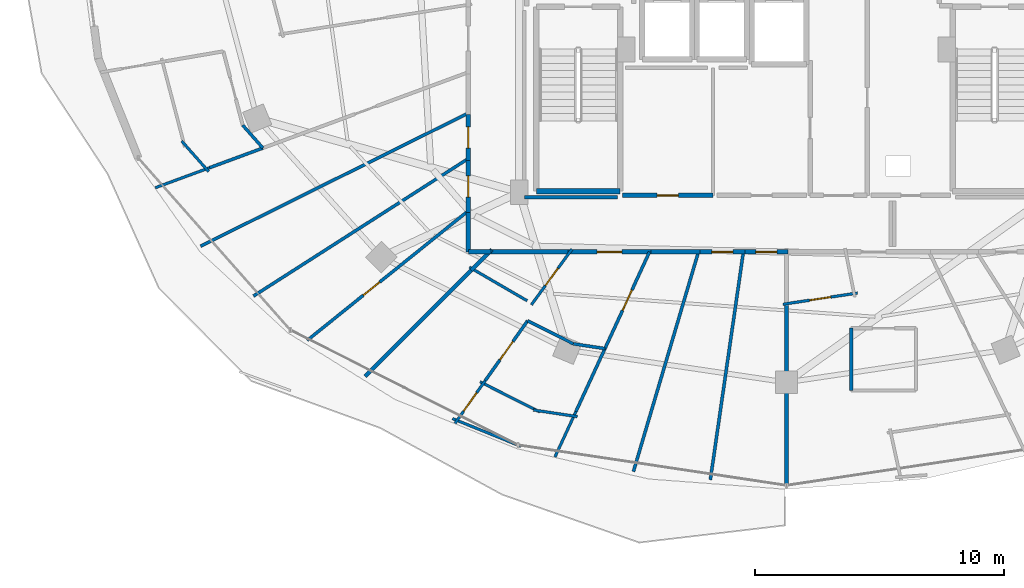
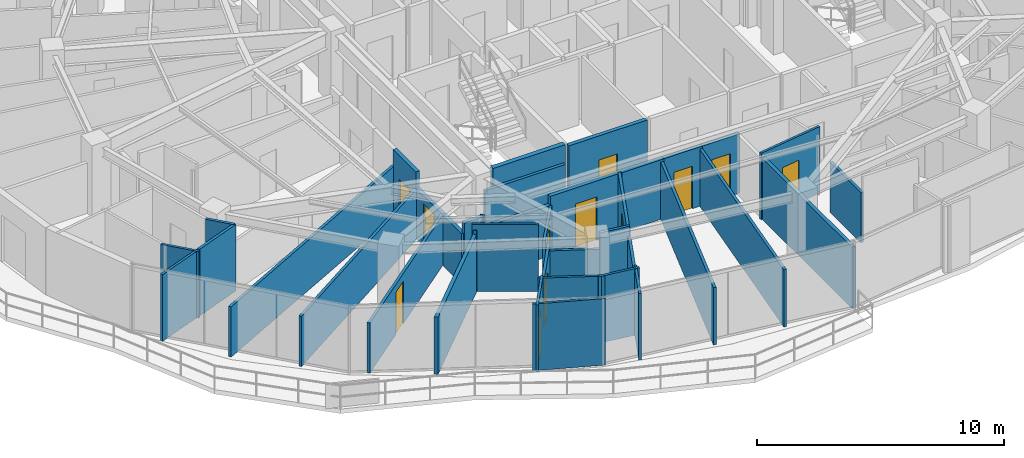
# One storey, part 24 of 33: 38 walls, 12 doors, 12 openings.
"""IFC4 building model written with IfcOpenShell, lengths in metres."""

from ifc_helpers import new_model, si_unit, direction, frame, frame_2d, origin, place, context, subcontext, project, spatial, rectangle, extrude, material, layer, layer_set, type_object, element, fill, save


model = new_model("IFC4")

# Units and contexts
model_context = context("Model", 3, precision=1e-05, world=origin(), true_north=direction((0.0, 1.0)))
body_context = subcontext(model_context, "Body", "Model", "MODEL_VIEW")
ifc_project = project(units=[si_unit("LENGTHUNIT", "METRE"), si_unit("AREAUNIT", "SQUARE_METRE"), si_unit("VOLUMEUNIT", "CUBIC_METRE"), si_unit("PLANEANGLEUNIT", "RADIAN"), si_unit("MASSUNIT", "GRAM", prefix="KILO")], contexts=[model_context])

# Site, building, storey
site_placement = place(None, origin())
site = spatial("IfcSite", under=ifc_project, at=site_placement, CompositionType="ELEMENT")
building_placement = place(site_placement, origin())
building = spatial("IfcBuilding", under=site, at=building_placement, Name="Vorneva Point Tower", CompositionType="ELEMENT")
storey_placement = place(building_placement, frame((0.0, 0.0, 203.64990234375)))
storey = spatial("IfcBuildingStorey", under=building, at=storey_placement, Name="L55", CompositionType="ELEMENT", Elevation=203.64990234375)

# Walls
ifc_material_1 = material(Name="Fire-rated acoustic gypsum stud partition", Category="gypsum")
ifc_layer_1 = layer(ifc_material_1, 0.110107421875)
ifc_layer_set_1 = layer_set([ifc_layer_1], Name="Fire-rated acoustic gypsum stud partition")
wall_type_1 = type_object("IfcWallType", Name="WL-PART-110", PredefinedType="PARTITIONING", material=ifc_layer_set_1)
wall_1_placement = place(storey_placement, frame((14.749755859375, 17.283203125, 0.0), z_axis=(0.0, 0.0, 1.0), x_axis=(-0.662345628205, 0.749198417509, 0.0)))
element("IfcWall", 1, at=wall_1_placement, inside=storey, type_object=wall_type_1, Name="L55 Interior Partition 109", PredefinedType="PARTITIONING", context=body_context, shape_type="SweptSolid", body=[
    extrude(rectangle(XDim=1.638916015625, YDim=0.110107421875, at=frame_2d((0.8193359375, 0.0))), origin(), (0.0, 0.0, 1.0), 3.2900390625),
])
wall_2_placement = place(storey_placement, frame((12.603759765625, 16.630615234375, 0.0), z_axis=(0.0, 0.0, 1.0), x_axis=(0.938194450562, 0.346108614361, 0.0)))
element("IfcWall", 2, at=wall_2_placement, inside=storey, type_object=wall_type_1, Name="L55 Interior Partition 111", PredefinedType="PARTITIONING", context=body_context, shape_type="SweptSolid", body=[
    extrude(rectangle(XDim=2.328369140625, YDim=0.110107421875, at=frame_2d((1.1640625, 0.0))), origin(), (0.0, 0.0, 1.0), 3.2900390625),
])

# Wall, opening, door
wall_3_placement = place(storey_placement, frame((29.37158203125, 14.1630859375, 0.0), z_axis=(0.0, 0.0, 1.0), x_axis=(-0.589066743954, -0.808084383693, 0.0)))
wall_3 = element("IfcWall", 3, at=wall_3_placement, inside=storey, type_object=wall_type_1, Name="L55 Interior Partition 118", PredefinedType="PARTITIONING", context=body_context, shape_type="SweptSolid", body=[
    extrude(rectangle(XDim=2.772216796875, YDim=0.110107421875, at=frame_2d((1.38623046875, 0.0))), origin(), (0.0, 0.0, 1.0), 2.482177734375),
])
opening_1_placement = place(wall_3_placement, frame((0.961181640625, 0.0, 0.0)))
opening_1 = element("IfcOpeningElement", 4, at=opening_1_placement, cuts=wall_3, Name="Opening ID-02", PredefinedType="OPENING", context=body_context, shape_type="SweptSolid", body=[
    extrude(rectangle(XDim=0.85009765625, YDim=2.10009765625, at=frame_2d((0.425048828125, 1.050048828125))), frame((0.0, 0.06982421875, 0.0), z_axis=(0.0, -1.0, 0.0), x_axis=(1.0, 0.0, 0.0)), (0.0, 0.0, 1.0), 0.139892578125),
])
ifc_material_2 = material(Name="Engineered oak fire-rated door leaf", Category="wood")
door_type_1 = type_object("IfcDoorType", Name="DR-BATH-850", OperationType="NOTDEFINED", PredefinedType="DOOR", material=ifc_material_2)
door_1_placement = place(opening_1_placement, origin())
door_1 = element("IfcDoor", 5, at=door_1_placement, inside=storey, type_object=door_type_1, Name="L55 Door Living and Dining Room L55-04 / Bathroom L55-04", OperationType="SINGLE_SWING_RIGHT", OverallHeight=2.10009765625, OverallWidth=0.85009765625, PredefinedType="DOOR", context=body_context, shape_type="SweptSolid", body=[
    extrude(rectangle(XDim=0.85009765625, YDim=2.10009765625, at=frame_2d((0.425048828125, 1.050048828125))), frame((0.0, 0.02490234375, 0.0), z_axis=(0.0, -1.0, 0.0), x_axis=(1.0, 0.0, 0.0)), (0.0, 0.0, 1.0), 0.050048828125),
])
fill(opening_1, door_1)

# Walls
wall_4_placement = place(storey_placement, frame((27.568115234375, 12.08251953125, 0.0), z_axis=(0.0, 0.0, 1.0), x_axis=(-0.864515441931, 0.502606258082, 0.0)))
element("IfcWall", 6, at=wall_4_placement, inside=storey, type_object=wall_type_1, Name="L55 Interior Partition 119", PredefinedType="PARTITIONING", context=body_context, shape_type="SweptSolid", body=[
    extrude(rectangle(XDim=2.689697265625, YDim=0.110107421875, at=frame_2d((1.3447265625, 0.0))), origin(), (0.0, 0.0, 1.0), 3.2900390625),
])
wall_5_placement = place(storey_placement, frame((29.528564453125, 7.6240234375, 0.0), z_axis=(0.0, 0.0, 1.0), x_axis=(-0.418673802252, -0.908136689771, 0.0)))
element("IfcWall", 7, at=wall_5_placement, inside=storey, type_object=wall_type_1, Name="L55 Interior Partition 120", PredefinedType="PARTITIONING", context=body_context, shape_type="SweptSolid", body=[
    extrude(rectangle(XDim=2.01416015625, YDim=0.110107421875, at=frame_2d((1.007080078125, 0.0))), origin(), (0.0, 0.0, 1.0), 3.2900390625),
])
wall_6_placement = place(storey_placement, frame((24.561279296875, 7.342529296875, 0.0), z_axis=(0.0, 0.0, 1.0), x_axis=(0.926858319785, -0.375411314487, 0.0)))
element("IfcWall", 8, at=wall_6_placement, inside=storey, type_object=wall_type_1, Name="L55 Interior Partition 121", PredefinedType="PARTITIONING", context=body_context, shape_type="SweptSolid", body=[
    extrude(rectangle(XDim=2.970703125, YDim=0.110107421875, at=frame_2d((1.4853515625, 0.0))), origin(), (0.0, 0.0, 1.0), 3.2900390625),
])

# Wall, opening, door
wall_7_placement = place(storey_placement, frame((24.666259765625, 7.15380859375, 0.0), z_axis=(0.0, 0.0, 1.0), x_axis=(0.577389248155, 0.816469017241, 0.0)))
wall_7 = element("IfcWall", 9, at=wall_7_placement, inside=storey, type_object=wall_type_1, Name="L55 Interior Partition 122", PredefinedType="PARTITIONING", context=body_context, shape_type="SweptSolid", body=[
    extrude(rectangle(XDim=2.103515625, YDim=0.110107421875, at=frame_2d((1.0517578125, 0.0))), origin(), (0.0, 0.0, 1.0), 3.2900390625),
])
opening_2_placement = place(wall_7_placement, frame((0.601806640625, 0.0, 0.0)))
opening_2 = element("IfcOpeningElement", 10, at=opening_2_placement, cuts=wall_7, Name="Opening ID-01", PredefinedType="OPENING", context=body_context, shape_type="SweptSolid", body=[
    extrude(rectangle(XDim=0.89990234375, YDim=2.10009765625, at=frame_2d((0.449951171875, 1.050048828125))), frame((0.0, 0.06982421875, 0.0), z_axis=(0.0, -1.0, 0.0), x_axis=(1.0, 0.0, 0.0)), (0.0, 0.0, 1.0), 0.139892578125),
])
door_type_2 = type_object("IfcDoorType", Name="DR-ROOM-900", OperationType="NOTDEFINED", PredefinedType="DOOR", material=ifc_material_2)
door_2_placement = place(opening_2_placement, origin())
door_2 = element("IfcDoor", 11, at=door_2_placement, inside=storey, type_object=door_type_2, Name="L55 Door Living and Dining Room L55-04 / Kitchen L55-04", OperationType="SINGLE_SWING_RIGHT", OverallHeight=2.10009765625, OverallWidth=0.89990234375, PredefinedType="DOOR", context=body_context, shape_type="SweptSolid", body=[
    extrude(rectangle(XDim=0.89990234375, YDim=2.10009765625, at=frame_2d((0.449951171875, 1.050048828125))), frame((0.0, 0.02490234375, 0.0), z_axis=(0.0, -1.0, 0.0), x_axis=(1.0, 0.0, 0.0)), (0.0, 0.0, 1.0), 0.050048828125),
])
fill(opening_2, door_2)

# Walls
wall_8_placement = place(storey_placement, frame((29.58349609375, 7.422119140625, 0.0), z_axis=(0.0, 0.0, 1.0), x_axis=(-0.988830695744, 0.149043131857, 0.0)))
element("IfcWall", 12, at=wall_8_placement, inside=storey, type_object=wall_type_1, Name="L55 Interior Partition 128", PredefinedType="PARTITIONING", context=body_context, shape_type="SweptSolid", body=[
    extrude(rectangle(XDim=1.783935546875, YDim=0.110107421875, at=frame_2d((0.89208984375, 0.0))), origin(), (0.0, 0.0, 1.0), 3.2900390625),
])
wall_9_placement = place(storey_placement, frame((28.0830078125, 7.60400390625, 0.0), z_axis=(0.0, 0.0, 1.0), x_axis=(-0.892628057427, 0.450793911999, 0.0)))
element("IfcWall", 13, at=wall_9_placement, inside=storey, type_object=wall_type_1, Name="L55 Interior Partition 129", PredefinedType="PARTITIONING", context=body_context, shape_type="SweptSolid", body=[
    extrude(rectangle(XDim=2.697509765625, YDim=0.110107421875, at=frame_2d((1.3486328125, 0.0))), origin(), (0.0, 0.0, 1.0), 3.2900390625),
])

# Wall, opening, door
wall_10_placement = place(storey_placement, frame((40.857421875, 12.393798828125, 0.0), z_axis=(0.0, 0.0, 1.0), x_axis=(-0.988873015636, -0.148762088409, 0.0)))
wall_10 = element("IfcWall", 14, at=wall_10_placement, inside=storey, type_object=wall_type_1, Name="L55 Interior Partition 135", PredefinedType="PARTITIONING", context=body_context, shape_type="SweptSolid", body=[
    extrude(rectangle(XDim=3.029541015625, YDim=0.110107421875, at=frame_2d((1.5146484375, 0.0))), origin(), (0.0, 0.0, 1.0), 3.2900390625),
])
opening_3_placement = place(wall_10_placement, frame((1.089599609375, 0.0, 0.0)))
opening_3 = element("IfcOpeningElement", 15, at=opening_3_placement, cuts=wall_10, Name="Opening ID-02", PredefinedType="OPENING", context=body_context, shape_type="SweptSolid", body=[
    extrude(rectangle(XDim=0.85009765625, YDim=2.10009765625, at=frame_2d((0.425048828125, 1.050048828125))), frame((0.0, 0.06982421875, 0.0), z_axis=(0.0, -1.0, 0.0), x_axis=(1.0, 0.0, 0.0)), (0.0, 0.0, 1.0), 0.139892578125),
])
door_3_placement = place(opening_3_placement, origin())
door_3 = element("IfcDoor", 16, at=door_3_placement, inside=storey, type_object=door_type_1, Name="L55 Door Living and Dining Room L55-05 / Bathroom L55-05", OperationType="SINGLE_SWING_LEFT", OverallHeight=2.10009765625, OverallWidth=0.85009765625, PredefinedType="DOOR", context=body_context, shape_type="SweptSolid", body=[
    extrude(rectangle(XDim=0.85009765625, YDim=2.10009765625, at=frame_2d((0.425048828125, 1.050048828125))), frame((0.0, 0.02490234375, 0.0), z_axis=(0.0, -1.0, 0.0), x_axis=(1.0, 0.0, 0.0)), (0.0, 0.0, 1.0), 0.050048828125),
])
fill(opening_3, door_3)

# Walls
ifc_layer_2 = layer(ifc_material_1, 0.125)
ifc_layer_set_2 = layer_set([ifc_layer_2], Name="Fire-rated acoustic gypsum stud partition")
wall_type_2 = type_object("IfcWallType", Name="WL-PART-125", PredefinedType="PARTITIONING", material=ifc_layer_set_2)
wall_11_placement = place(storey_placement, frame((16.123046875, 19.14697265625, 0.0), z_axis=(0.0, 0.0, 1.0), x_axis=(0.66171386468, -0.749756467988, 0.0)))
element("IfcWall", 17, at=wall_11_placement, inside=storey, type_object=wall_type_2, Name="L55 Interior Partition 106", PredefinedType="PARTITIONING", context=body_context, shape_type="SweptSolid", body=[
    extrude(rectangle(XDim=1.2255859375, YDim=0.125, at=frame_2d((0.61279296875, 0.0))), origin(), (0.0, 0.0, 1.0), 3.2900390625),
])
wall_12_placement = place(storey_placement, frame((14.788330078125, 17.436279296875, 0.0), z_axis=(0.0, 0.0, 1.0), x_axis=(0.938171690747, 0.346170303003, 0.0)))
element("IfcWall", 18, at=wall_12_placement, inside=storey, type_object=wall_type_2, Name="L55 Interior Partition 112", PredefinedType="PARTITIONING", context=body_context, shape_type="SweptSolid", body=[
    extrude(rectangle(XDim=2.287109375, YDim=0.125, at=frame_2d((1.1435546875, 0.0))), origin(), (0.0, 0.0, 1.0), 3.2900390625),
])
wall_13_placement = place(storey_placement, frame((14.427978515625, 14.280029296875, 0.0), z_axis=(0.0, 0.0, 1.0), x_axis=(0.895423439435, 0.44521552546, 0.0)))
element("IfcWall", 19, at=wall_13_placement, inside=storey, type_object=wall_type_2, Name="L55 Interior Partition 113", PredefinedType="PARTITIONING", context=body_context, shape_type="SweptSolid", body=[
    extrude(rectangle(XDim=12.030029296875, YDim=0.125, at=frame_2d((6.01513671875, 0.0))), origin(), (0.0, 0.0, 1.0), 2.482177734375),
])
wall_14_placement = place(storey_placement, frame((16.554931640625, 12.27197265625, 0.0), z_axis=(0.0, 0.0, 1.0), x_axis=(0.842221721565, 0.539131312135, 0.0)))
element("IfcWall", 20, at=wall_14_placement, inside=storey, type_object=wall_type_2, Name="L55 Interior Partition 114", PredefinedType="PARTITIONING", context=body_context, shape_type="SweptSolid", body=[
    extrude(rectangle(XDim=10.2646484375, YDim=0.125, at=frame_2d((5.13232421875, 0.0))), origin(), (0.0, 0.0, 1.0), 2.482177734375),
])

# Wall, opening, door
wall_15_placement = place(storey_placement, frame((18.715087890625, 10.487060546875, 0.0), z_axis=(0.0, 0.0, 1.0), x_axis=(0.779157389419, 0.626828335762, 0.0)))
wall_15 = element("IfcWall", 21, at=wall_15_placement, inside=storey, type_object=wall_type_2, Name="L55 Interior Partition 115", PredefinedType="PARTITIONING", context=body_context, shape_type="SweptSolid", body=[
    extrude(rectangle(XDim=8.322998046875, YDim=0.125, at=frame_2d((4.16162109375, 0.0))), origin(), (0.0, 0.0, 1.0), 2.482177734375),
])
opening_4_placement = place(wall_15_placement, frame((2.896484375, 0.0, 0.0)))
opening_4 = element("IfcOpeningElement", 22, at=opening_4_placement, cuts=wall_15, Name="Opening ID-02", PredefinedType="OPENING", context=body_context, shape_type="SweptSolid", body=[
    extrude(rectangle(XDim=0.85009765625, YDim=2.10009765625, at=frame_2d((0.425048828125, 1.050048828125))), frame((0.0, 0.077392578125, 0.0), z_axis=(0.0, -1.0, 0.0), x_axis=(1.0, 0.0, 0.0)), (0.0, 0.0, 1.0), 0.15478515625),
])
door_4_placement = place(opening_4_placement, origin())
door_4 = element("IfcDoor", 23, at=door_4_placement, inside=storey, type_object=door_type_1, Name="L55 Access Door Bedroom L55-03.3", OperationType="SINGLE_SWING_LEFT", OverallHeight=2.10009765625, OverallWidth=0.85009765625, PredefinedType="DOOR", context=body_context, shape_type="SweptSolid", body=[
    extrude(rectangle(XDim=0.85009765625, YDim=2.10009765625, at=frame_2d((0.425048828125, 1.050048828125))), frame((0.0, 0.02490234375, 0.0), z_axis=(0.0, -1.0, 0.0), x_axis=(1.0, 0.0, 0.0)), (0.0, 0.0, 1.0), 0.050048828125),
])
fill(opening_4, door_4)

# Walls
wall_16_placement = place(storey_placement, frame((27.5859375, 11.280029296875, 0.0), z_axis=(0.0, 0.0, 1.0), x_axis=(0.89250267167, -0.451042105643, 0.0)))
element("IfcWall", 24, at=wall_16_placement, inside=storey, type_object=wall_type_2, Name="L55 Interior Partition 123", PredefinedType="PARTITIONING", context=body_context, shape_type="SweptSolid", body=[
    extrude(rectangle(XDim=2.06396484375, YDim=0.125, at=frame_2d((1.031982421875, 0.0))), origin(), (0.0, 0.0, 1.0), 2.482177734375),
])
wall_17_placement = place(storey_placement, frame((29.427978515625, 10.34912109375, 0.0), z_axis=(0.0, 0.0, 1.0), x_axis=(0.988955881685, -0.148210202353, 0.0)))
element("IfcWall", 25, at=wall_17_placement, inside=storey, type_object=wall_type_2, Name="L55 Interior Partition 124", PredefinedType="PARTITIONING", context=body_context, shape_type="SweptSolid", body=[
    extrude(rectangle(XDim=1.283203125, YDim=0.125, at=frame_2d((0.6416015625, 0.0))), origin(), (0.0, 0.0, 1.0), 3.2900390625),
])
wall_18_placement = place(storey_placement, frame((30.697021484375, 10.158935546875, 0.0), z_axis=(0.0, 0.0, 1.0), x_axis=(-0.41861439522, -0.908164075547, 0.0)))
element("IfcWall", 26, at=wall_18_placement, inside=storey, type_object=wall_type_2, Name="L55 Interior Partition 125", PredefinedType="PARTITIONING", context=body_context, shape_type="SweptSolid", body=[
    extrude(rectangle(XDim=2.791259765625, YDim=0.125, at=frame_2d((1.3955078125, 0.0))), origin(), (0.0, 0.0, 1.0), 2.82421875),
])

# Wall, opening, door
wall_19_placement = place(storey_placement, frame((25.880859375, 8.87109375, 0.0), z_axis=(0.0, 0.0, 1.0), x_axis=(0.577734997211, 0.816224401128, 0.0)))
wall_19 = element("IfcWall", 27, at=wall_19_placement, inside=storey, type_object=wall_type_2, Name="L55 Interior Partition 126", PredefinedType="PARTITIONING", context=body_context, shape_type="SweptSolid", body=[
    extrude(rectangle(XDim=2.951416015625, YDim=0.125, at=frame_2d((1.4755859375, 0.0))), origin(), (0.0, 0.0, 1.0), 2.82421875),
])
opening_5_placement = place(wall_19_placement, frame((1.025634765625, 0.0, 0.0)))
opening_5 = element("IfcOpeningElement", 28, at=opening_5_placement, cuts=wall_19, Name="Opening ID-01", PredefinedType="OPENING", context=body_context, shape_type="SweptSolid", body=[
    extrude(rectangle(XDim=0.89990234375, YDim=2.10009765625, at=frame_2d((0.449951171875, 1.050048828125))), frame((0.0, 0.077392578125, 0.0), z_axis=(0.0, -1.0, 0.0), x_axis=(1.0, 0.0, 0.0)), (0.0, 0.0, 1.0), 0.15478515625),
])
door_5_placement = place(opening_5_placement, origin())
door_5 = element("IfcDoor", 29, at=door_5_placement, inside=storey, type_object=door_type_2, Name="L55 Door Living and Dining Room L55-04 / Study Room L55-04", OperationType="SINGLE_SWING_LEFT", OverallHeight=2.10009765625, OverallWidth=0.89990234375, PredefinedType="DOOR", context=body_context, shape_type="SweptSolid", body=[
    extrude(rectangle(XDim=0.89990234375, YDim=2.10009765625, at=frame_2d((0.449951171875, 1.050048828125))), frame((0.0, 0.02490234375, 0.0), z_axis=(0.0, -1.0, 0.0), x_axis=(1.0, 0.0, 0.0)), (0.0, 0.0, 1.0), 0.050048828125),
])
fill(opening_5, door_5)

wall_20_placement = place(storey_placement, frame((30.697265625, 10.158935546875, 0.0), z_axis=(0.0, 0.0, 1.0), x_axis=(0.418635364892, 0.908154409372, 0.0)))
wall_20 = element("IfcWall", 30, at=wall_20_placement, inside=storey, type_object=wall_type_2, Name="L55 Interior Partition 127", PredefinedType="PARTITIONING", context=body_context, shape_type="SweptSolid", body=[
    extrude(rectangle(XDim=4.28466796875, YDim=0.125, at=frame_2d((2.142333984375, 0.0))), origin(), (0.0, 0.0, 1.0), 2.93603515625),
])
opening_6_placement = place(wall_20_placement, frame((1.6923828125, 0.0, 0.0)))
opening_6 = element("IfcOpeningElement", 31, at=opening_6_placement, cuts=wall_20, Name="Opening ID-01", PredefinedType="OPENING", context=body_context, shape_type="SweptSolid", body=[
    extrude(rectangle(XDim=0.89990234375, YDim=2.10009765625, at=frame_2d((0.449951171875, 1.050048828125))), frame((0.0, 0.077392578125, 0.0), z_axis=(0.0, -1.0, 0.0), x_axis=(1.0, 0.0, 0.0)), (0.0, 0.0, 1.0), 0.15478515625),
])
door_6_placement = place(opening_6_placement, origin())
door_6 = element("IfcDoor", 32, at=door_6_placement, inside=storey, type_object=door_type_2, Name="L55 Door Living and Dining Room L55-04 / Master Bedroom L55-04.1", OperationType="SINGLE_SWING_RIGHT", OverallHeight=2.10009765625, OverallWidth=0.89990234375, PredefinedType="DOOR", context=body_context, shape_type="SweptSolid", body=[
    extrude(rectangle(XDim=0.89990234375, YDim=2.10009765625, at=frame_2d((0.449951171875, 1.050048828125))), frame((0.0, 0.02490234375, 0.0), z_axis=(0.0, -1.0, 0.0), x_axis=(1.0, 0.0, 0.0)), (0.0, 0.0, 1.0), 0.050048828125),
])
fill(opening_6, door_6)

# Walls
wall_21_placement = place(storey_placement, frame((31.842041015625, 5.2099609375, 0.0), z_axis=(0.0, 0.0, 1.0), x_axis=(0.283952183478, 0.958838441813, 0.0)))
element("IfcWall", 33, at=wall_21_placement, inside=storey, type_object=wall_type_2, Name="L55 Interior Partition 130", PredefinedType="PARTITIONING", context=body_context, shape_type="SweptSolid", body=[
    extrude(rectangle(XDim=9.219482421875, YDim=0.125, at=frame_2d((4.60986328125, 0.0))), origin(), (0.0, 0.0, 1.0), 2.82421875),
])
wall_22_placement = place(storey_placement, frame((34.93798828125, 4.87890625, 0.0), z_axis=(0.0, 0.0, 1.0), x_axis=(0.143423836858, 0.989661357749, 0.0)))
element("IfcWall", 34, at=wall_22_placement, inside=storey, type_object=wall_type_2, Name="L55 Interior Partition 131", PredefinedType="PARTITIONING", context=body_context, shape_type="SweptSolid", body=[
    extrude(rectangle(XDim=9.266845703125, YDim=0.125, at=frame_2d((4.63330078125, 0.0))), origin(), (0.0, 0.0, 1.0), 2.82421875),
])
wall_23_placement = place(storey_placement, frame((40.60693359375, 10.97900390625, 0.0), z_axis=(0.0, 0.0, 1.0), x_axis=(0.0, -1.0, 0.0)))
element("IfcWall", 35, at=wall_23_placement, inside=storey, type_object=wall_type_2, Name="L55 Interior Partition 140", PredefinedType="PARTITIONING", context=body_context, shape_type="SweptSolid", body=[
    extrude(rectangle(XDim=2.5, YDim=0.125, at=frame_2d((1.25, 0.0))), origin(), (0.0, 0.0, 1.0), 2.482177734375),
])
ifc_layer_3 = layer(ifc_material_1, 0.139892578125)
ifc_layer_set_3 = layer_set([ifc_layer_3], Name="Fire-rated acoustic gypsum stud partition")
wall_type_3 = type_object("IfcWallType", Name="WL-PART-140", PredefinedType="PARTITIONING", material=ifc_layer_set_3)
wall_24_placement = place(storey_placement, frame((27.449951171875, 16.239990234375, 0.0), z_axis=(0.0, 0.0, 1.0), x_axis=(1.0, 0.0, 0.0)))
element("IfcWall", 36, at=wall_24_placement, inside=storey, type_object=wall_type_3, Name="L55 Interior Closure Partition 172", PredefinedType="PARTITIONING", context=body_context, shape_type="SweptSolid", body=[
    extrude(rectangle(XDim=3.7451171875, YDim=0.139892578125, at=frame_2d((1.87255859375, 0.0))), origin(), (0.0, 0.0, 1.0), 2.482177734375),
])
ifc_layer_4 = layer(ifc_material_1, 0.159912109375)
ifc_layer_set_4 = layer_set([ifc_layer_4], Name="Fire-rated acoustic gypsum stud partition")
wall_type_4 = type_object("IfcWallType", Name="WL-PART-160", PredefinedType="PARTITIONING", material=ifc_layer_set_4)
wall_25_placement = place(storey_placement, frame((21.041015625, 9.041015625, 0.0), z_axis=(0.0, 0.0, 1.0), x_axis=(0.707106781187, 0.707106781187, 0.0)))
element("IfcWall", 37, at=wall_25_placement, inside=storey, type_object=wall_type_4, Name="L55 Interior Partition 116", PredefinedType="PARTITIONING", context=body_context, shape_type="SweptSolid", body=[
    extrude(rectangle(XDim=6.17578125, YDim=0.159912109375, at=frame_2d((3.087890625, 0.0))), origin(), (0.0, 0.0, 1.0), 2.82421875),
])
wall_26_placement = place(storey_placement, frame((25.30908203125, 13.30908203125, 0.0), z_axis=(0.0, 0.0, 1.0), x_axis=(0.707106781187, 0.707106781187, 0.0)))
element("IfcWall", 38, at=wall_26_placement, inside=storey, type_object=wall_type_4, Name="L55 Interior Partition 117", PredefinedType="PARTITIONING", context=body_context, shape_type="SweptSolid", body=[
    extrude(rectangle(XDim=1.187744140625, YDim=0.159912109375, at=frame_2d((0.59375, 0.0))), origin(), (0.0, 0.0, 1.0), 3.022216796875),
])
wall_27_placement = place(storey_placement, frame((38.0, 4.64990234375, 0.0), z_axis=(0.0, 0.0, 1.0), x_axis=(0.0, 1.0, 0.0)))
element("IfcWall", 39, at=wall_27_placement, inside=storey, type_object=wall_type_4, Name="L55 Interior Partition 132", PredefinedType="PARTITIONING", context=body_context, shape_type="SweptSolid", body=[
    extrude(rectangle(XDim=7.375, YDim=0.159912109375, at=frame_2d((3.6875, 0.0))), origin(), (0.0, 0.0, 1.0), 3.022216796875),
])

# Wall, opening, door
ifc_material_3 = material(Name="Autoclaved aerated concrete blockwork", Category="masonry")
ifc_layer_5 = layer(ifc_material_3, 0.179931640625)
ifc_layer_set_5 = layer_set([ifc_layer_5], Name="Autoclaved aerated concrete blockwork")
wall_type_5 = type_object("IfcWallType", Name="WL-PART-180", PredefinedType="PARTITIONING", material=ifc_layer_set_5)
wall_28_placement = place(storey_placement, frame((31.39990234375, 16.320068359375, 0.0), z_axis=(0.0, 0.0, 1.0), x_axis=(1.0, 0.0, 0.0)))
wall_28 = element("IfcWall", 40, at=wall_28_placement, inside=storey, type_object=wall_type_5, Name="L55 Interior Partition 027", PredefinedType="PARTITIONING", context=body_context, shape_type="SweptSolid", body=[
    extrude(rectangle(XDim=3.650146484375, YDim=0.179931640625, at=frame_2d((1.8251953125, 0.0))), origin(), (0.0, 0.0, 1.0), 3.2900390625),
])
opening_7_placement = place(wall_28_placement, frame((1.39990234375, 0.0, 0.0)))
opening_7 = element("IfcOpeningElement", 41, at=opening_7_placement, cuts=wall_28, Name="Opening ID-02", PredefinedType="OPENING", context=body_context, shape_type="SweptSolid", body=[
    extrude(rectangle(XDim=0.85009765625, YDim=2.10009765625, at=frame_2d((0.425048828125, 1.050048828125))), frame((0.0, 0.10498046875, 0.0), z_axis=(0.0, -1.0, 0.0), x_axis=(1.0, 0.0, 0.0)), (0.0, 0.0, 1.0), 0.209716796875),
])
door_7_placement = place(opening_7_placement, origin())
door_7 = element("IfcDoor", 42, at=door_7_placement, inside=storey, type_object=door_type_1, Name="L55 Door Cleaners Store / L55 Circulation Corridor", OperationType="SINGLE_SWING_LEFT", OverallHeight=2.10009765625, OverallWidth=0.85009765625, PredefinedType="DOOR", context=body_context, shape_type="SweptSolid", body=[
    extrude(rectangle(XDim=0.85009765625, YDim=2.10009765625, at=frame_2d((0.425048828125, 1.050048828125))), frame((0.0, 0.02490234375, 0.0), z_axis=(0.0, -1.0, 0.0), x_axis=(1.0, 0.0, 0.0)), (0.0, 0.0, 1.0), 0.050048828125),
])
fill(opening_7, door_7)

wall_29_placement = place(storey_placement, frame((25.199951171875, 19.569091796875, 0.0), z_axis=(0.0, 0.0, 1.0), x_axis=(0.0, -1.0, 0.0)))
wall_29 = element("IfcWall", 43, at=wall_29_placement, inside=storey, type_object=wall_type_5, Name="L55 Interior Partition 051", PredefinedType="PARTITIONING", context=body_context, shape_type="SweptSolid", body=[
    extrude(rectangle(XDim=1.833984375, YDim=0.179931640625, at=frame_2d((0.9169921875, 0.0))), origin(), (0.0, 0.0, 1.0), 3.2900390625),
])
opening_8_placement = place(wall_29_placement, frame((0.491943359375, 0.0, 0.0)))
opening_8 = element("IfcOpeningElement", 44, at=opening_8_placement, cuts=wall_29, Name="Opening ID-02", PredefinedType="OPENING", context=body_context, shape_type="SweptSolid", body=[
    extrude(rectangle(XDim=0.85009765625, YDim=2.10009765625, at=frame_2d((0.425048828125, 1.050048828125))), frame((0.0, 0.10498046875, 0.0), z_axis=(0.0, -1.0, 0.0), x_axis=(1.0, 0.0, 0.0)), (0.0, 0.0, 1.0), 0.209716796875),
])
door_8_placement = place(opening_8_placement, origin())
door_8 = element("IfcDoor", 45, at=door_8_placement, inside=storey, type_object=door_type_1, Name="L55 Access Door L55 Circulation Corridor", OperationType="SINGLE_SWING_LEFT", OverallHeight=2.10009765625, OverallWidth=0.85009765625, PredefinedType="DOOR", context=body_context, shape_type="SweptSolid", body=[
    extrude(rectangle(XDim=0.85009765625, YDim=2.10009765625, at=frame_2d((0.425048828125, 1.050048828125))), frame((0.0, 0.02490234375, 0.0), z_axis=(0.0, -1.0, 0.0), x_axis=(1.0, 0.0, 0.0)), (0.0, 0.0, 1.0), 0.050048828125),
])
fill(opening_8, door_8)

wall_30_placement = place(storey_placement, frame((25.199951171875, 17.735107421875, 0.0), z_axis=(0.0, 0.0, 1.0), x_axis=(0.0, -1.0, 0.0)))
wall_30 = element("IfcWall", 46, at=wall_30_placement, inside=storey, type_object=wall_type_5, Name="L55 Interior Partition 052", PredefinedType="PARTITIONING", context=body_context, shape_type="SweptSolid", body=[
    extrude(rectangle(XDim=2.108154296875, YDim=0.179931640625, at=frame_2d((1.05419921875, 0.0))), origin(), (0.0, 0.0, 1.0), 2.482177734375),
])
opening_9_placement = place(wall_30_placement, frame((0.62890625, 0.0, 0.0)))
opening_9 = element("IfcOpeningElement", 47, at=opening_9_placement, cuts=wall_30, Name="Opening ID-02", PredefinedType="OPENING", context=body_context, shape_type="SweptSolid", body=[
    extrude(rectangle(XDim=0.85009765625, YDim=2.10009765625, at=frame_2d((0.425048828125, 1.050048828125))), frame((0.0, 0.10498046875, 0.0), z_axis=(0.0, -1.0, 0.0), x_axis=(1.0, 0.0, 0.0)), (0.0, 0.0, 1.0), 0.209716796875),
])
door_9_placement = place(opening_9_placement, origin())
door_9 = element("IfcDoor", 48, at=door_9_placement, inside=storey, type_object=door_type_1, Name="L55 Access Door L55 Circulation Corridor", OperationType="SINGLE_SWING_RIGHT", OverallHeight=2.10009765625, OverallWidth=0.85009765625, PredefinedType="DOOR", context=body_context, shape_type="SweptSolid", body=[
    extrude(rectangle(XDim=0.85009765625, YDim=2.10009765625, at=frame_2d((0.425048828125, 1.050048828125))), frame((0.0, 0.02490234375, 0.0), z_axis=(0.0, -1.0, 0.0), x_axis=(1.0, 0.0, 0.0)), (0.0, 0.0, 1.0), 0.050048828125),
])
fill(opening_9, door_9)

# Walls
wall_31_placement = place(storey_placement, frame((25.199951171875, 15.626953125, 0.0), z_axis=(0.0, 0.0, 1.0), x_axis=(0.0, -1.0, 0.0)))
element("IfcWall", 49, at=wall_31_placement, inside=storey, type_object=wall_type_5, Name="L55 Interior Partition 053", PredefinedType="PARTITIONING", context=body_context, shape_type="SweptSolid", body=[
    extrude(rectangle(XDim=1.576904296875, YDim=0.179931640625, at=frame_2d((0.78857421875, 0.0))), origin(), (0.0, 0.0, 1.0), 2.482177734375),
])
wall_32_placement = place(storey_placement, frame((25.199951171875, 14.050048828125, 0.0), z_axis=(0.0, 0.0, 1.0), x_axis=(1.0, 0.0, 0.0)))
element("IfcWall", 50, at=wall_32_placement, inside=storey, type_object=wall_type_5, Name="L55 Interior Partition 054", PredefinedType="PARTITIONING", context=body_context, shape_type="SweptSolid", body=[
    extrude(rectangle(XDim=0.91015625, YDim=0.179931640625, at=frame_2d((0.455078125, 0.0))), origin(), (0.0, 0.0, 1.0), 3.022216796875),
])

# Wall, opening, door
wall_33_placement = place(storey_placement, frame((29.215087890625, 14.050048828125, 0.0), z_axis=(0.0, 0.0, 1.0), x_axis=(1.0, 0.0, 0.0)))
wall_33 = element("IfcWall", 51, at=wall_33_placement, inside=storey, type_object=wall_type_5, Name="L55 Interior Partition 055", PredefinedType="PARTITIONING", context=body_context, shape_type="SweptSolid", body=[
    extrude(rectangle(XDim=3.3359375, YDim=0.179931640625, at=frame_2d((1.66796875, 0.0))), origin(), (0.0, 0.0, 1.0), 2.93603515625),
])
opening_10_placement = place(wall_33_placement, frame((1.16796875, 0.0, 0.0)))
opening_10 = element("IfcOpeningElement", 52, at=opening_10_placement, cuts=wall_33, Name="Opening UD-01", PredefinedType="OPENING", context=body_context, shape_type="SweptSolid", body=[
    extrude(rectangle(XDim=1.0, YDim=2.14990234375, at=frame_2d((0.5, 1.074951171875))), frame((0.0, 0.10498046875, 0.0), z_axis=(0.0, -1.0, 0.0), x_axis=(1.0, 0.0, 0.0)), (0.0, 0.0, 1.0), 0.209716796875),
])
door_type_3 = type_object("IfcDoorType", Name="DR-UNIT-1000", OperationType="NOTDEFINED", PredefinedType="DOOR", material=ifc_material_2)
door_10_placement = place(opening_10_placement, origin())
door_10 = element("IfcDoor", 53, at=door_10_placement, inside=storey, type_object=door_type_3, Name="L55 Door L55 Circulation Corridor / Living and Dining Room L55-04", OperationType="SINGLE_SWING_RIGHT", OverallHeight=2.14990234375, OverallWidth=1.0, PredefinedType="DOOR", context=body_context, shape_type="SweptSolid", body=[
    extrude(rectangle(XDim=1.0, YDim=2.14990234375, at=frame_2d((0.5, 1.074951171875))), frame((0.0, 0.02490234375, 0.0), z_axis=(0.0, -1.0, 0.0), x_axis=(1.0, 0.0, 0.0)), (0.0, 0.0, 1.0), 0.050048828125),
])
fill(opening_10, door_10)

# Walls
wall_34_placement = place(storey_placement, frame((25.969970703125, 14.050048828125, 0.0), z_axis=(0.0, 0.0, 1.0), x_axis=(1.0, 0.0, 0.0)))
element("IfcWall", 54, at=wall_34_placement, inside=storey, type_object=wall_type_5, Name="L55 Interior Partition 056", PredefinedType="PARTITIONING", context=body_context, shape_type="SweptSolid", body=[
    extrude(rectangle(XDim=3.385009765625, YDim=0.179931640625, at=frame_2d((1.6923828125, 0.0))), origin(), (0.0, 0.0, 1.0), 2.482177734375),
])
wall_35_placement = place(storey_placement, frame((32.551025390625, 14.050048828125, 0.0), z_axis=(0.0, 0.0, 1.0), x_axis=(1.0, 0.0, 0.0)))
element("IfcWall", 55, at=wall_35_placement, inside=storey, type_object=wall_type_5, Name="L55 Interior Partition 057", PredefinedType="PARTITIONING", context=body_context, shape_type="SweptSolid", body=[
    extrude(rectangle(XDim=1.968994140625, YDim=0.179931640625, at=frame_2d((0.984375, 0.0))), origin(), (0.0, 0.0, 1.0), 2.93603515625),
])

# Wall, opening, door
wall_36_placement = place(storey_placement, frame((34.52001953125, 14.050048828125, 0.0), z_axis=(0.0, 0.0, 1.0), x_axis=(1.0, 0.0, 0.0)))
wall_36 = element("IfcWall", 56, at=wall_36_placement, inside=storey, type_object=wall_type_5, Name="L55 Interior Partition 058", PredefinedType="PARTITIONING", context=body_context, shape_type="SweptSolid", body=[
    extrude(rectangle(XDim=1.806884765625, YDim=0.179931640625, at=frame_2d((0.9033203125, 0.0))), origin(), (0.0, 0.0, 1.0), 2.93603515625),
])
opening_11_placement = place(wall_36_placement, frame((0.478515625, 0.0, 0.0)))
opening_11 = element("IfcOpeningElement", 57, at=opening_11_placement, cuts=wall_36, Name="Opening ID-02", PredefinedType="OPENING", context=body_context, shape_type="SweptSolid", body=[
    extrude(rectangle(XDim=0.85009765625, YDim=2.10009765625, at=frame_2d((0.425048828125, 1.050048828125))), frame((0.0, 0.10498046875, 0.0), z_axis=(0.0, -1.0, 0.0), x_axis=(1.0, 0.0, 0.0)), (0.0, 0.0, 1.0), 0.209716796875),
])
door_11_placement = place(opening_11_placement, origin())
door_11 = element("IfcDoor", 58, at=door_11_placement, inside=storey, type_object=door_type_1, Name="L55 Access Door L55 Circulation Corridor", OperationType="SINGLE_SWING_LEFT", OverallHeight=2.10009765625, OverallWidth=0.85009765625, PredefinedType="DOOR", context=body_context, shape_type="SweptSolid", body=[
    extrude(rectangle(XDim=0.85009765625, YDim=2.10009765625, at=frame_2d((0.425048828125, 1.050048828125))), frame((0.0, 0.02490234375, 0.0), z_axis=(0.0, -1.0, 0.0), x_axis=(1.0, 0.0, 0.0)), (0.0, 0.0, 1.0), 0.050048828125),
])
fill(opening_11, door_11)

wall_37_placement = place(storey_placement, frame((36.326904296875, 14.050048828125, 0.0), z_axis=(0.0, 0.0, 1.0), x_axis=(1.0, 0.0, 0.0)))
wall_37 = element("IfcWall", 59, at=wall_37_placement, inside=storey, type_object=wall_type_5, Name="L55 Interior Partition 059", PredefinedType="PARTITIONING", context=body_context, shape_type="SweptSolid", body=[
    extrude(rectangle(XDim=1.733154296875, YDim=0.179931640625, at=frame_2d((0.86669921875, 0.0))), origin(), (0.0, 0.0, 1.0), 2.93603515625),
])
opening_12_placement = place(wall_37_placement, frame((0.44140625, 0.0, 0.0)))
opening_12 = element("IfcOpeningElement", 60, at=opening_12_placement, cuts=wall_37, Name="Opening ID-02", PredefinedType="OPENING", context=body_context, shape_type="SweptSolid", body=[
    extrude(rectangle(XDim=0.85009765625, YDim=2.10009765625, at=frame_2d((0.425048828125, 1.050048828125))), frame((0.0, 0.10498046875, 0.0), z_axis=(0.0, -1.0, 0.0), x_axis=(1.0, 0.0, 0.0)), (0.0, 0.0, 1.0), 0.209716796875),
])
door_12_placement = place(opening_12_placement, origin())
door_12 = element("IfcDoor", 61, at=door_12_placement, inside=storey, type_object=door_type_1, Name="L55 Access Door L55 Circulation Corridor", OperationType="SINGLE_SWING_RIGHT", OverallHeight=2.10009765625, OverallWidth=0.85009765625, PredefinedType="DOOR", context=body_context, shape_type="SweptSolid", body=[
    extrude(rectangle(XDim=0.85009765625, YDim=2.10009765625, at=frame_2d((0.425048828125, 1.050048828125))), frame((0.0, 0.02490234375, 0.0), z_axis=(0.0, -1.0, 0.0), x_axis=(1.0, 0.0, 0.0)), (0.0, 0.0, 1.0), 0.050048828125),
])
fill(opening_12, door_12)

# Wall
ifc_material_4 = material(Name="Concrete B50 (C40/50)", Category="concrete")
ifc_layer_6 = layer(ifc_material_4, 0.219970703125)
ifc_layer_set_6 = layer_set([ifc_layer_6], Name="Concrete B50 (C40/50)")
wall_type_6 = type_object("IfcWallType", Name="WL-SHFT-220", PredefinedType="SOLIDWALL", material=ifc_layer_set_6)
wall_38_placement = place(storey_placement, frame((31.31005859375, 16.489990234375, 0.0), z_axis=(0.0, 0.0, 1.0), x_axis=(-1.0, 0.0, 0.0)))
element("IfcWall", 62, at=wall_38_placement, inside=storey, type_object=wall_type_6, Name="L55 Exit Stair ST1 Shaft Wall far", PredefinedType="SOLIDWALL", context=body_context, shape_type="SweptSolid", body=[
    extrude(rectangle(XDim=3.3701171875, YDim=0.219970703125, at=frame_2d((1.68505859375, 0.0))), origin(), (0.0, 0.0, 1.0), 3.2900390625),
])

save(model, "model.ifc")
